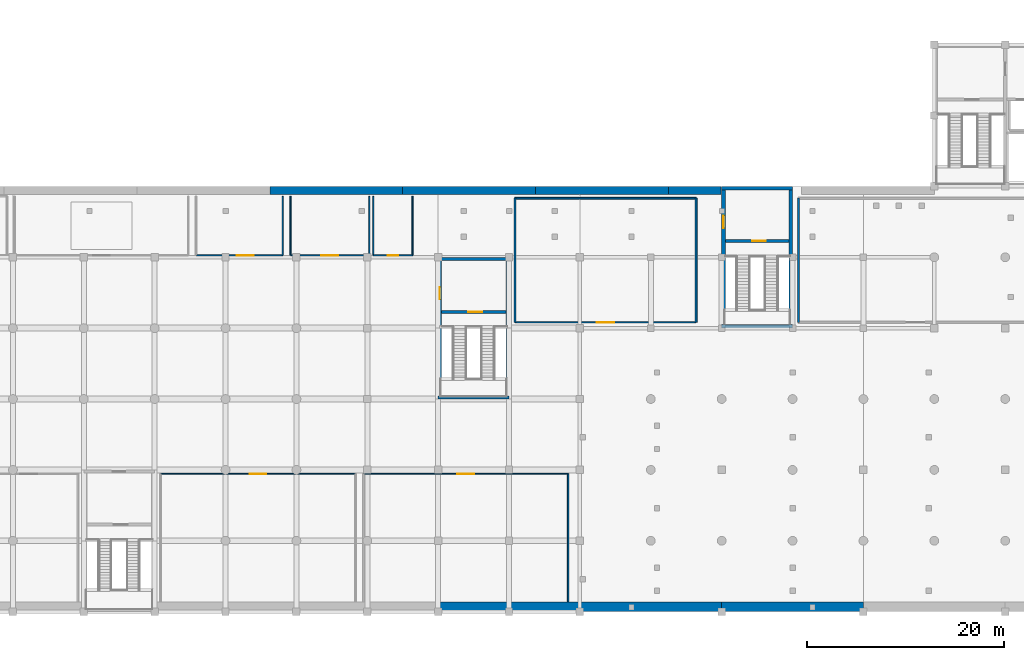
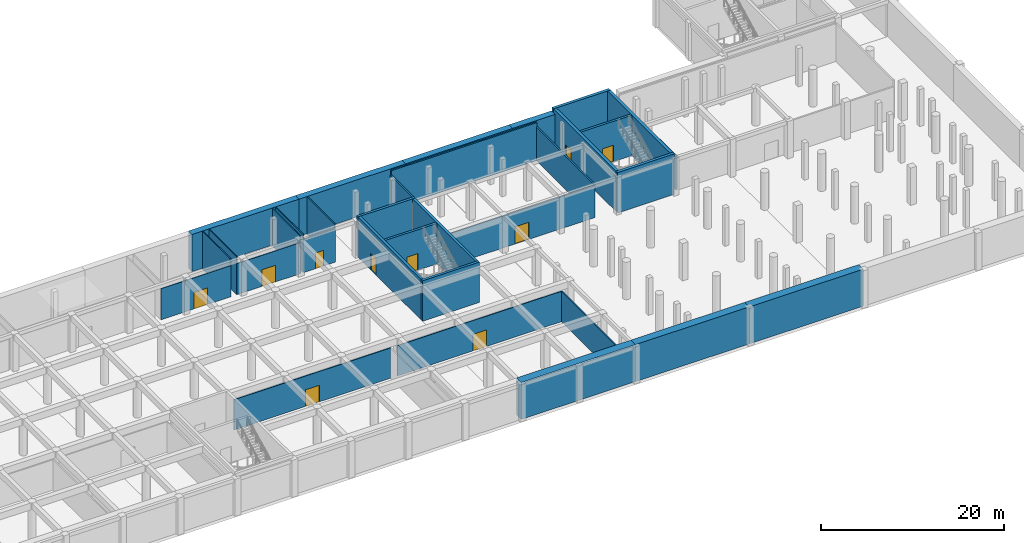
# One storey, part 6 of 15: 33 walls, 10 doors, 10 openings.
"""IFC4 building model written with IfcOpenShell, lengths in metres."""

from ifc_helpers import new_model, si_unit, direction, frame, frame_2d, origin, place, context, subcontext, project, spatial, rectangle, extrude, material, layer, layer_set, type_object, element, fill, save


model = new_model("IFC4")

# Units and contexts
model_context = context("Model", 3, precision=1e-05, world=origin(), true_north=direction((0.0, 1.0)))
body_context = subcontext(model_context, "Body", "Model", "MODEL_VIEW")
ifc_project = project(units=[si_unit("LENGTHUNIT", "METRE"), si_unit("AREAUNIT", "SQUARE_METRE"), si_unit("VOLUMEUNIT", "CUBIC_METRE"), si_unit("PLANEANGLEUNIT", "RADIAN"), si_unit("MASSUNIT", "GRAM", prefix="KILO")], contexts=[model_context])

# Site, building, storey
site_placement = place(None, origin())
site = spatial("IfcSite", under=ifc_project, at=site_placement, CompositionType="ELEMENT")
building_placement = place(site_placement, origin())
building = spatial("IfcBuilding", under=site, at=building_placement, Name="Leyfeld Transit Interchange", CompositionType="ELEMENT")
storey_placement = place(building_placement, frame((0.0, 0.0, -5.39990234375)))
storey = spatial("IfcBuildingStorey", under=building, at=storey_placement, Name="B01", CompositionType="ELEMENT", Elevation=-5.39990234375)

# Walls
ifc_material_1 = material(Name="Concrete C35/45", Category="concrete")
ifc_layer_1 = layer(ifc_material_1, 1.0, Name="Concrete C35/45")
ifc_layer_set_1 = layer_set([ifc_layer_1], Name="Concrete C35/45")
wall_type_1 = type_object("IfcWallType", Name="WL-DW-1000", PredefinedType="USERDEFINED", material=ifc_layer_set_1)
wall_1_placement = place(storey_placement, frame((129.60009765625, 14.89990234375, 0.0), z_axis=(0.0, 0.0, 1.0), x_axis=(-1.0, 0.0, 0.0)))
element("IfcWall", 1, at=wall_1_placement, inside=storey, type_object=wall_type_1, Name="Metro Diaphragm Wall DW-B01-S01-P03", ObjectType="RETAININGWALL", PredefinedType="USERDEFINED", context=body_context, shape_type="SweptSolid", body=[
    extrude(rectangle(XDim=14.400146484375, YDim=1.0, at=frame_2d((7.2001953125, 0.0))), origin(), (0.0, 0.0, 1.0), 4.949951171875),
])
wall_2_placement = place(storey_placement, frame((115.199951171875, 14.89990234375, 0.0), z_axis=(0.0, 0.0, 1.0), x_axis=(-1.0, 0.0, 0.0)))
element("IfcWall", 2, at=wall_2_placement, inside=storey, type_object=wall_type_1, Name="Metro Diaphragm Wall DW-B01-S01-P04", ObjectType="RETAININGWALL", PredefinedType="USERDEFINED", context=body_context, shape_type="SweptSolid", body=[
    extrude(rectangle(XDim=14.39990234375, YDim=1.0, at=frame_2d((7.199951171875, 0.0))), origin(), (0.0, 0.0, 1.0), 4.949951171875),
])
wall_3_placement = place(storey_placement, frame((100.800048828125, 14.89990234375, 0.0), z_axis=(0.0, 0.0, 1.0), x_axis=(-1.0, 0.0, 0.0)))
element("IfcWall", 3, at=wall_3_placement, inside=storey, type_object=wall_type_1, Name="Metro Diaphragm Wall DW-B01-S01-P05", ObjectType="RETAININGWALL", PredefinedType="USERDEFINED", context=body_context, shape_type="SweptSolid", body=[
    extrude(rectangle(XDim=14.400146484375, YDim=1.0, at=frame_2d((7.2001953125, 0.0))), origin(), (0.0, 0.0, 1.0), 4.949951171875),
])
ifc_layer_2 = layer(ifc_material_1, 0.800048828125, Name="Concrete C35/45")
ifc_layer_set_2 = layer_set([ifc_layer_2], Name="Concrete C35/45")
wall_type_2 = type_object("IfcWallType", Name="WL-DW-800", PredefinedType="USERDEFINED", material=ifc_layer_set_2)
for number, where, z_axis, x_axis, name in (
    (4, (69.300048828125, 57.199951171875, 0.0), (0.0, 0.0, 1.0), (1.0, 0.0, 0.0), "Metro Diaphragm Wall DW-B01-S06-P04"),
    (5, (82.800048828125, 57.199951171875, 0.0), (0.0, 0.0, 1.0), (1.0, 0.0, 0.0), "Metro Diaphragm Wall DW-B01-S06-P05"),
    (6, (96.300048828125, 57.199951171875, 0.0), (0.0, 0.0, 1.0), (1.0, 0.0, 0.0), "Metro Diaphragm Wall DW-B01-S06-P06"),
):
    element("IfcWall", number, at=place(storey_placement, frame(where, z_axis=z_axis, x_axis=x_axis)), inside=storey, type_object=wall_type_2, Name=name, ObjectType="RETAININGWALL", PredefinedType="USERDEFINED", context=body_context, shape_type="SweptSolid", body=[
        extrude(rectangle(XDim=13.5, YDim=0.800048828125, at=frame_2d((6.75, 0.0))), origin(), (0.0, 0.0, 1.0), 4.949951171875),
    ])
wall_4_placement = place(storey_placement, frame((109.800048828125, 57.199951171875, 0.0), z_axis=(0.0, 0.0, 1.0), x_axis=(1.0, 0.0, 0.0)))
element("IfcWall", 7, at=wall_4_placement, inside=storey, type_object=wall_type_2, Name="Metro Diaphragm Wall DW-B01-S06-P07", ObjectType="RETAININGWALL", PredefinedType="USERDEFINED", context=body_context, shape_type="SweptSolid", body=[
    extrude(rectangle(XDim=5.349853515625, YDim=0.800048828125, at=frame_2d((2.6748046875, 0.0))), origin(), (0.0, 0.0, 1.0), 4.949951171875),
])

# Wall, opening, door
ifc_material_2 = material(Name="Laminated safety acoustic glazing", Category="glass")
ifc_layer_3 = layer(ifc_material_2, 0.10498046875, Name="Laminated safety acoustic glazing")
ifc_layer_set_3 = layer_set([ifc_layer_3], Name="Laminated safety acoustic glazing")
wall_type_3 = type_object("IfcWallType", Name="WL-INT-GLZ-105", PredefinedType="PARTITIONING", material=ifc_layer_set_3)
wall_5_placement = place(storey_placement, frame((58.199951171875, 28.39990234375, 0.0), z_axis=(0.0, 0.0, 1.0), x_axis=(1.0, 0.0, 0.0)))
wall_5 = element("IfcWall", 8, at=wall_5_placement, inside=storey, type_object=wall_type_3, Name="Interior Partition B01-RET-02 N", PredefinedType="PARTITIONING", context=body_context, shape_type="SweptSolid", body=[
    extrude(rectangle(XDim=19.800048828125, YDim=0.10498046875, at=frame_2d((9.89990234375, 0.0))), origin(), (0.0, 0.0, 1.0), 4.0498046875),
])
opening_1_placement = place(wall_5_placement, frame((9.0400390625, 0.0, 0.0)))
opening_1 = element("IfcOpeningElement", 9, at=opening_1_placement, cuts=wall_5, Name="Opening DU-18", PredefinedType="OPENING", context=body_context, shape_type="SweptSolid", body=[
    extrude(rectangle(XDim=1.719970703125, YDim=2.219970703125, at=frame_2d((0.85986328125, 1.10986328125))), frame((0.0, 0.0625, 0.0), z_axis=(0.0, -1.0, 0.0), x_axis=(1.0, 0.0, 0.0)), (0.0, 0.0, 1.0), 0.125),
])
ifc_material_3 = material(Name="Austrian larch glulam GL28h", Category="wood")
door_type_1 = type_object("IfcDoorType", Name="DR-UNQ-18", OperationType="NOTDEFINED", PredefinedType="DOOR", material=ifc_material_3)
door_1_placement = place(opening_1_placement, origin())
door_1 = element("IfcDoor", 10, at=door_1_placement, inside=storey, type_object=door_type_1, Name="DR-B01-RET-02", OperationType="DOUBLE_DOOR_SINGLE_SWING", OverallHeight=2.219970703125, OverallWidth=1.719970703125, PredefinedType="DOOR", context=body_context, shape_type="SweptSolid", body=[
    extrude(rectangle(XDim=1.719970703125, YDim=2.219970703125, at=frame_2d((0.85986328125, 1.10986328125))), frame((0.0, 0.02490234375, 0.0), z_axis=(0.0, -1.0, 0.0), x_axis=(1.0, 0.0, 0.0)), (0.0, 0.0, 1.0), 0.050048828125),
])
fill(opening_1, door_1)

wall_6_placement = place(storey_placement, frame((78.800048828125, 28.39990234375, 0.0), z_axis=(0.0, 0.0, 1.0), x_axis=(1.0, 0.0, 0.0)))
wall_6 = element("IfcWall", 11, at=wall_6_placement, inside=storey, type_object=wall_type_3, Name="Interior Partition B01-RET-03 N", PredefinedType="PARTITIONING", context=body_context, shape_type="SweptSolid", body=[
    extrude(rectangle(XDim=20.800048828125, YDim=0.10498046875, at=frame_2d((10.39990234375, 0.0))), origin(), (0.0, 0.0, 1.0), 4.0498046875),
])
opening_2_placement = place(wall_6_placement, frame((9.5400390625, 0.0, 0.0)))
opening_2 = element("IfcOpeningElement", 12, at=opening_2_placement, cuts=wall_6, Name="Opening DU-18", PredefinedType="OPENING", context=body_context, shape_type="SweptSolid", body=[
    extrude(rectangle(XDim=1.719970703125, YDim=2.219970703125, at=frame_2d((0.85986328125, 1.10986328125))), frame((0.0, 0.0625, 0.0), z_axis=(0.0, -1.0, 0.0), x_axis=(1.0, 0.0, 0.0)), (0.0, 0.0, 1.0), 0.125),
])
door_2_placement = place(opening_2_placement, origin())
door_2 = element("IfcDoor", 13, at=door_2_placement, inside=storey, type_object=door_type_1, Name="DR-B01-RET-03", OperationType="DOUBLE_DOOR_SINGLE_SWING", OverallHeight=2.219970703125, OverallWidth=1.719970703125, PredefinedType="DOOR", context=body_context, shape_type="SweptSolid", body=[
    extrude(rectangle(XDim=1.719970703125, YDim=2.219970703125, at=frame_2d((0.85986328125, 1.10986328125))), frame((0.0, 0.02490234375, 0.0), z_axis=(0.0, -1.0, 0.0), x_axis=(1.0, 0.0, 0.0)), (0.0, 0.0, 1.0), 0.050048828125),
])
fill(opening_2, door_2)

# Wall
ifc_material_4 = material(Name="Calcium silicate masonry", Category="masonry")
ifc_layer_4 = layer(ifc_material_4, 0.18994140625, Name="Calcium silicate masonry")
ifc_layer_set_4 = layer_set([ifc_layer_4], Name="Calcium silicate masonry")
wall_type_4 = type_object("IfcWallType", Name="WL-INT-PLT-190", PredefinedType="PARTITIONING", material=ifc_layer_set_4)
wall_7_placement = place(storey_placement, frame((94.199951171875, 56.39990234375, 0.0), z_axis=(0.0, 0.0, 1.0), x_axis=(1.0, 0.0, 0.0)))
element("IfcWall", 14, at=wall_7_placement, inside=storey, type_object=wall_type_4, Name="Interior Partition B01-AHU-01 N", PredefinedType="PARTITIONING", context=body_context, shape_type="SweptSolid", body=[
    extrude(rectangle(XDim=18.400146484375, YDim=0.18994140625, at=frame_2d((9.2001953125, 0.0))), origin(), (0.0, 0.0, 1.0), 5.0498046875),
])

# Wall, opening, door
wall_8_placement = place(storey_placement, frame((112.60009765625, 43.800048828125, 0.0), z_axis=(0.0, 0.0, 1.0), x_axis=(-1.0, 0.0, 0.0)))
wall_8 = element("IfcWall", 15, at=wall_8_placement, inside=storey, type_object=wall_type_4, Name="Interior Partition B01-AHU-01 S", PredefinedType="PARTITIONING", context=body_context, shape_type="SweptSolid", body=[
    extrude(rectangle(XDim=18.400146484375, YDim=0.18994140625, at=frame_2d((9.2001953125, 0.0))), origin(), (0.0, 0.0, 1.0), 4.239990234375),
])
opening_3_placement = place(wall_8_placement, frame((8.31005859375, 0.0, 0.0)))
opening_3 = element("IfcOpeningElement", 16, at=opening_3_placement, cuts=wall_8, Name="Opening DU-19", PredefinedType="OPENING", context=body_context, shape_type="SweptSolid", body=[
    extrude(rectangle(XDim=1.780029296875, YDim=2.280029296875, at=frame_2d((0.89013671875, 1.14013671875))), frame((0.0, 0.10498046875, 0.0), z_axis=(0.0, -1.0, 0.0), x_axis=(1.0, 0.0, 0.0)), (0.0, 0.0, 1.0), 0.2099609375),
])
door_type_2 = type_object("IfcDoorType", Name="DR-UNQ-19", OperationType="NOTDEFINED", PredefinedType="DOOR", material=ifc_material_3)
door_3_placement = place(opening_3_placement, origin())
door_3 = element("IfcDoor", 17, at=door_3_placement, inside=storey, type_object=door_type_2, Name="DR-B01-AHU-01", OperationType="DOUBLE_DOOR_SINGLE_SWING", OverallHeight=2.280029296875, OverallWidth=1.780029296875, PredefinedType="DOOR", context=body_context, shape_type="SweptSolid", body=[
    extrude(rectangle(XDim=1.780029296875, YDim=2.280029296875, at=frame_2d((0.89013671875, 1.14013671875))), frame((0.0, 0.02490234375, 0.0), z_axis=(0.0, -1.0, 0.0), x_axis=(1.0, 0.0, 0.0)), (0.0, 0.0, 1.0), 0.050048828125),
])
fill(opening_3, door_3)

# Walls
for number, where, z_axis, x_axis, name in (
    (18, (112.60009765625, 56.39990234375, 0.0), (0.0, 0.0, 1.0), (0.0, -1.0, 0.0), "Interior Partition B01-AHU-01 E"),
    (19, (94.199951171875, 43.800048828125, 0.0), (0.0, 0.0, 1.0), (0.0, 1.0, 0.0), "Interior Partition B01-AHU-01 W"),
    (20, (123.0, 43.800048828125, 0.0), (0.0, 0.0, 1.0), (0.0, 1.0, 0.0), "Interior Partition B01-ELC-01 W"),
):
    element("IfcWall", number, at=place(storey_placement, frame(where, z_axis=z_axis, x_axis=x_axis)), inside=storey, type_object=wall_type_4, Name=name, PredefinedType="PARTITIONING", context=body_context, shape_type="SweptSolid", body=[
        extrude(rectangle(XDim=12.599853515625, YDim=0.18994140625, at=frame_2d((6.2998046875, 0.0))), origin(), (0.0, 0.0, 1.0), 4.449951171875),
    ])
ifc_material_5 = material(Name="Gypsum plasterboard acoustic stud", Category="gypsum")
ifc_layer_5 = layer(ifc_material_5, 0.135009765625, Name="Gypsum plasterboard acoustic stud")
ifc_layer_set_5 = layer_set([ifc_layer_5], Name="Gypsum plasterboard acoustic stud")
wall_type_5 = type_object("IfcWallType", Name="WL-INT-RET-135", PredefinedType="PARTITIONING", material=ifc_layer_set_5)
wall_9_placement = place(storey_placement, frame((99.60009765625, 28.39990234375, 0.0), z_axis=(0.0, 0.0, 1.0), x_axis=(0.0, -1.0, 0.0)))
element("IfcWall", 21, at=wall_9_placement, inside=storey, type_object=wall_type_5, Name="Interior Partition B01-RET-03 E", PredefinedType="PARTITIONING", context=body_context, shape_type="SweptSolid", body=[
    extrude(rectangle(XDim=13.0, YDim=0.135009765625, at=frame_2d((6.5, 0.0))), origin(), (0.0, 0.0, 1.0), 4.0498046875),
])

# Wall, opening, door
ifc_material_6 = material(Name="Autoclaved aerated blockwork G4", Category="masonry")
ifc_layer_6 = layer(ifc_material_6, 0.125, Name="Autoclaved aerated blockwork G4")
ifc_layer_set_6 = layer_set([ifc_layer_6], Name="Autoclaved aerated blockwork G4")
wall_type_6 = type_object("IfcWallType", Name="WL-INT-WC-125", PredefinedType="PARTITIONING", material=ifc_layer_set_6)
wall_10_placement = place(storey_placement, frame((70.60009765625, 50.60009765625, 0.0), z_axis=(0.0, 0.0, 1.0), x_axis=(-1.0, 0.0, 0.0)))
wall_10 = element("IfcWall", 22, at=wall_10_placement, inside=storey, type_object=wall_type_6, Name="Interior Partition B01-WCM-01 S", PredefinedType="PARTITIONING", context=body_context, shape_type="SweptSolid", body=[
    extrude(rectangle(XDim=8.800048828125, YDim=0.125, at=frame_2d((4.39990234375, 0.0))), origin(), (0.0, 0.0, 1.0), 4.14990234375),
])
opening_4_placement = place(wall_10_placement, frame((2.93994140625, 0.0, 0.0)))
opening_4 = element("IfcOpeningElement", 23, at=opening_4_placement, cuts=wall_10, Name="Opening DU-18", PredefinedType="OPENING", context=body_context, shape_type="SweptSolid", body=[
    extrude(rectangle(XDim=1.719970703125, YDim=2.219970703125, at=frame_2d((0.85986328125, 1.10986328125))), frame((0.0, 0.072509765625, 0.0), z_axis=(0.0, -1.0, 0.0), x_axis=(1.0, 0.0, 0.0)), (0.0, 0.0, 1.0), 0.14501953125),
])
door_4_placement = place(opening_4_placement, origin())
door_4 = element("IfcDoor", 24, at=door_4_placement, inside=storey, type_object=door_type_1, Name="DR-B01-WCM-01", OperationType="DOUBLE_DOOR_SINGLE_SWING", OverallHeight=2.219970703125, OverallWidth=1.719970703125, PredefinedType="DOOR", context=body_context, shape_type="SweptSolid", body=[
    extrude(rectangle(XDim=1.719970703125, YDim=2.219970703125, at=frame_2d((0.85986328125, 1.10986328125))), frame((0.0, 0.02490234375, 0.0), z_axis=(0.0, -1.0, 0.0), x_axis=(1.0, 0.0, 0.0)), (0.0, 0.0, 1.0), 0.050048828125),
])
fill(opening_4, door_4)

# Wall
wall_11_placement = place(storey_placement, frame((70.60009765625, 56.60009765625, 0.0), z_axis=(0.0, 0.0, 1.0), x_axis=(0.0, -1.0, 0.0)))
element("IfcWall", 25, at=wall_11_placement, inside=storey, type_object=wall_type_6, Name="Interior Partition B01-WCM-01 E", PredefinedType="PARTITIONING", context=body_context, shape_type="SweptSolid", body=[
    extrude(rectangle(XDim=6.0, YDim=0.125, at=frame_2d((3.0, 0.0))), origin(), (0.0, 0.0, 1.0), 5.0498046875),
])

# Wall, opening, door
wall_12_placement = place(storey_placement, frame((79.39990234375, 50.60009765625, 0.0), z_axis=(0.0, 0.0, 1.0), x_axis=(-1.0, 0.0, 0.0)))
wall_12 = element("IfcWall", 26, at=wall_12_placement, inside=storey, type_object=wall_type_6, Name="Interior Partition B01-WCF-01 S", PredefinedType="PARTITIONING", context=body_context, shape_type="SweptSolid", body=[
    extrude(rectangle(XDim=8.0, YDim=0.125, at=frame_2d((4.0, 0.0))), origin(), (0.0, 0.0, 1.0), 4.14990234375),
])
opening_5_placement = place(wall_12_placement, frame((3.139892578125, 0.0, 0.0)))
opening_5 = element("IfcOpeningElement", 27, at=opening_5_placement, cuts=wall_12, Name="Opening DU-18", PredefinedType="OPENING", context=body_context, shape_type="SweptSolid", body=[
    extrude(rectangle(XDim=1.719970703125, YDim=2.219970703125, at=frame_2d((0.85986328125, 1.10986328125))), frame((0.0, 0.072509765625, 0.0), z_axis=(0.0, -1.0, 0.0), x_axis=(1.0, 0.0, 0.0)), (0.0, 0.0, 1.0), 0.14501953125),
])
door_5_placement = place(opening_5_placement, origin())
door_5 = element("IfcDoor", 28, at=door_5_placement, inside=storey, type_object=door_type_1, Name="DR-B01-WCF-01", OperationType="DOUBLE_DOOR_SINGLE_SWING", OverallHeight=2.219970703125, OverallWidth=1.719970703125, PredefinedType="DOOR", context=body_context, shape_type="SweptSolid", body=[
    extrude(rectangle(XDim=1.719970703125, YDim=2.219970703125, at=frame_2d((0.85986328125, 1.10986328125))), frame((0.0, 0.02490234375, 0.0), z_axis=(0.0, -1.0, 0.0), x_axis=(1.0, 0.0, 0.0)), (0.0, 0.0, 1.0), 0.050048828125),
])
fill(opening_5, door_5)

# Walls
for number, where, z_axis, x_axis, name in (
    (29, (79.39990234375, 56.60009765625, 0.0), (0.0, 0.0, 1.0), (0.0, -1.0, 0.0), "Interior Partition B01-WCF-01 E"),
    (30, (71.39990234375, 50.60009765625, 0.0), (0.0, 0.0, 1.0), (0.0, 1.0, 0.0), "Interior Partition B01-WCF-01 W"),
):
    element("IfcWall", number, at=place(storey_placement, frame(where, z_axis=z_axis, x_axis=x_axis)), inside=storey, type_object=wall_type_6, Name=name, PredefinedType="PARTITIONING", context=body_context, shape_type="SweptSolid", body=[
        extrude(rectangle(XDim=6.0, YDim=0.125, at=frame_2d((3.0, 0.0))), origin(), (0.0, 0.0, 1.0), 5.0498046875),
    ])

# Wall, opening, door
wall_13_placement = place(storey_placement, frame((83.800048828125, 50.60009765625, 0.0), z_axis=(0.0, 0.0, 1.0), x_axis=(-1.0, 0.0, 0.0)))
wall_13 = element("IfcWall", 31, at=wall_13_placement, inside=storey, type_object=wall_type_6, Name="Interior Partition B01-WCA-01 S", PredefinedType="PARTITIONING", context=body_context, shape_type="SweptSolid", body=[
    extrude(rectangle(XDim=4.0, YDim=0.125, at=frame_2d((2.0, 0.0))), origin(), (0.0, 0.0, 1.0), 4.449951171875),
])
opening_6_placement = place(wall_13_placement, frame((1.47509765625, 0.0, 0.0)))
opening_6 = element("IfcOpeningElement", 32, at=opening_6_placement, cuts=wall_13, Name="Opening DI-09", PredefinedType="OPENING", context=body_context, shape_type="SweptSolid", body=[
    extrude(rectangle(XDim=1.050048828125, YDim=2.10009765625, at=frame_2d((0.52490234375, 1.050048828125))), frame((0.0, 0.072509765625, 0.0), z_axis=(0.0, -1.0, 0.0), x_axis=(1.0, 0.0, 0.0)), (0.0, 0.0, 1.0), 0.14501953125),
])
door_type_3 = type_object("IfcDoorType", Name="DR-WCA-1050x2100", OperationType="NOTDEFINED", PredefinedType="DOOR", material=ifc_material_3)
door_6_placement = place(opening_6_placement, origin())
door_6 = element("IfcDoor", 33, at=door_6_placement, inside=storey, type_object=door_type_3, Name="DR-B01-WCA-01", OperationType="SINGLE_SWING_RIGHT", OverallHeight=2.10009765625, OverallWidth=1.050048828125, PredefinedType="DOOR", context=body_context, shape_type="SweptSolid", body=[
    extrude(rectangle(XDim=1.050048828125, YDim=2.10009765625, at=frame_2d((0.52490234375, 1.050048828125))), frame((0.0, 0.02490234375, 0.0), z_axis=(0.0, -1.0, 0.0), x_axis=(1.0, 0.0, 0.0)), (0.0, 0.0, 1.0), 0.050048828125),
])
fill(opening_6, door_6)

# Walls
for number, where, z_axis, x_axis, name in (
    (34, (83.800048828125, 56.60009765625, 0.0), (0.0, 0.0, 1.0), (0.0, -1.0, 0.0), "Interior Partition B01-WCA-01 E"),
    (35, (79.800048828125, 50.60009765625, 0.0), (0.0, 0.0, 1.0), (0.0, 1.0, 0.0), "Interior Partition B01-WCA-01 W"),
):
    element("IfcWall", number, at=place(storey_placement, frame(where, z_axis=z_axis, x_axis=x_axis)), inside=storey, type_object=wall_type_6, Name=name, PredefinedType="PARTITIONING", context=body_context, shape_type="SweptSolid", body=[
        extrude(rectangle(XDim=6.0, YDim=0.125, at=frame_2d((3.0, 0.0))), origin(), (0.0, 0.0, 1.0), 5.0498046875),
    ])

# Wall, opening, door
ifc_layer_7 = layer(ifc_material_1, 0.300048828125, Name="Concrete C35/45")
ifc_layer_set_7 = layer_set([ifc_layer_7], Name="Concrete C35/45")
wall_type_7 = type_object("IfcWallType", Name="WL-SH-300", PredefinedType="SHEAR", material=ifc_layer_set_7)
wall_14_placement = place(storey_placement, frame((86.719970703125, 44.85009765625, 0.0), z_axis=(0.0, 0.0, 1.0), x_axis=(1.0, 0.0, 0.0)))
wall_14 = element("IfcWall", 36, at=wall_14_placement, inside=storey, type_object=wall_type_7, Name="Core K7 Shear Wall STRN B01", PredefinedType="SHEAR", context=body_context, shape_type="SweptSolid", body=[
    extrude(rectangle(XDim=6.56005859375, YDim=0.300048828125, at=frame_2d((3.280029296875, 0.0))), origin(), (0.0, 0.0, 1.0), 5.39990234375),
])
opening_7_placement = place(wall_14_placement, frame((2.739990234375, 0.0, 0.0)))
opening_7 = element("IfcOpeningElement", 37, at=opening_7_placement, cuts=wall_14, Name="Opening DI-01", PredefinedType="OPENING", context=body_context, shape_type="SweptSolid", body=[
    extrude(rectangle(XDim=1.39990234375, YDim=2.199951171875, at=frame_2d((0.699951171875, 1.10009765625))), frame((0.0, 0.159912109375, 0.0), z_axis=(0.0, -1.0, 0.0), x_axis=(1.0, 0.0, 0.0)), (0.0, 0.0, 1.0), 0.320068359375),
])
ifc_material_7 = material(Name="Galvanised steel S275JR", Category="steel")
door_type_4 = type_object("IfcDoorType", Name="DR-STR-1400x2200", OperationType="NOTDEFINED", PredefinedType="DOOR", material=ifc_material_7)
door_7_placement = place(opening_7_placement, origin())
door_7 = element("IfcDoor", 38, at=door_7_placement, inside=storey, type_object=door_type_4, Name="DR-STR-INT-K7-B01", OperationType="SINGLE_SWING_RIGHT", OverallHeight=2.199951171875, OverallWidth=1.39990234375, PredefinedType="DOOR", context=body_context, shape_type="SweptSolid", body=[
    extrude(rectangle(XDim=1.39990234375, YDim=2.199951171875, at=frame_2d((0.699951171875, 1.10009765625))), frame((0.0, 0.02490234375, 0.0), z_axis=(0.0, -1.0, 0.0), x_axis=(1.0, 0.0, 0.0)), (0.0, 0.0, 1.0), 0.050048828125),
])
fill(opening_7, door_7)

wall_15_placement = place(storey_placement, frame((115.570068359375, 52.050048828125, 0.0), z_axis=(0.0, 0.0, 1.0), x_axis=(1.0, 0.0, 0.0)))
wall_15 = element("IfcWall", 39, at=wall_15_placement, inside=storey, type_object=wall_type_7, Name="Core K9 Shear Wall STRN B01", PredefinedType="SHEAR", context=body_context, shape_type="SweptSolid", body=[
    extrude(rectangle(XDim=6.4599609375, YDim=0.300048828125, at=frame_2d((3.22998046875, 0.0))), origin(), (0.0, 0.0, 1.0), 5.39990234375),
])
opening_8_placement = place(wall_15_placement, frame((2.715087890625, 0.0, 0.0)))
opening_8 = element("IfcOpeningElement", 40, at=opening_8_placement, cuts=wall_15, Name="Opening DI-01", PredefinedType="OPENING", context=body_context, shape_type="SweptSolid", body=[
    extrude(rectangle(XDim=1.39990234375, YDim=2.199951171875, at=frame_2d((0.699951171875, 1.10009765625))), frame((0.0, 0.159912109375, 0.0), z_axis=(0.0, -1.0, 0.0), x_axis=(1.0, 0.0, 0.0)), (0.0, 0.0, 1.0), 0.320068359375),
])
door_8_placement = place(opening_8_placement, origin())
door_8 = element("IfcDoor", 41, at=door_8_placement, inside=storey, type_object=door_type_4, Name="DR-STR-INT-K9-B01", OperationType="SINGLE_SWING_RIGHT", OverallHeight=2.199951171875, OverallWidth=1.39990234375, PredefinedType="DOOR", context=body_context, shape_type="SweptSolid", body=[
    extrude(rectangle(XDim=1.39990234375, YDim=2.199951171875, at=frame_2d((0.699951171875, 1.10009765625))), frame((0.0, 0.02490234375, 0.0), z_axis=(0.0, -1.0, 0.0), x_axis=(1.0, 0.0, 0.0)), (0.0, 0.0, 1.0), 0.050048828125),
])
fill(opening_8, door_8)

# Walls
ifc_layer_8 = layer(ifc_material_1, 0.320068359375, Name="Concrete C35/45")
ifc_layer_set_8 = layer_set([ifc_layer_8], Name="Concrete C35/45")
wall_type_8 = type_object("IfcWallType", Name="WL-SH-VAR-320", PredefinedType="SHEAR", material=ifc_layer_set_8)
wall_16_placement = place(storey_placement, frame((86.39990234375, 50.239990234375, 0.0), z_axis=(0.0, 0.0, 1.0), x_axis=(1.0, 0.0, 0.0)))
element("IfcWall", 42, at=wall_16_placement, inside=storey, type_object=wall_type_8, Name="Core K7 Shear Wall N B01", PredefinedType="SHEAR", context=body_context, shape_type="SweptSolid", body=[
    extrude(rectangle(XDim=7.2001953125, YDim=0.320068359375, at=frame_2d((3.60009765625, 0.0))), origin(), (0.0, 0.0, 1.0), 5.39990234375),
])
wall_17_placement = place(storey_placement, frame((93.43994140625, 50.080078125, 0.0), z_axis=(0.0, 0.0, 1.0), x_axis=(0.0, -1.0, 0.0)))
element("IfcWall", 43, at=wall_17_placement, inside=storey, type_object=wall_type_8, Name="Core K7 Shear Wall E B01", PredefinedType="SHEAR", context=body_context, shape_type="SweptSolid", body=[
    extrude(rectangle(XDim=13.760009765625, YDim=0.320068359375, at=frame_2d((6.8798828125, 0.0))), origin(), (0.0, 0.0, 1.0), 5.39990234375),
])
wall_18_placement = place(storey_placement, frame((93.60009765625, 36.159912109375, 0.0), z_axis=(0.0, 0.0, 1.0), x_axis=(-1.0, 0.0, 0.0)))
element("IfcWall", 44, at=wall_18_placement, inside=storey, type_object=wall_type_8, Name="Core K7 Shear Wall S B01", PredefinedType="SHEAR", context=body_context, shape_type="SweptSolid", body=[
    extrude(rectangle(XDim=7.2001953125, YDim=0.320068359375, at=frame_2d((3.60009765625, 0.0))), origin(), (0.0, 0.0, 1.0), 5.39990234375),
])

# Wall, opening, door
wall_19_placement = place(storey_placement, frame((86.56005859375, 36.320068359375, 0.0), z_axis=(0.0, 0.0, 1.0), x_axis=(0.0, 1.0, 0.0)))
wall_19 = element("IfcWall", 45, at=wall_19_placement, inside=storey, type_object=wall_type_8, Name="Core K7 Shear Wall W B01", PredefinedType="SHEAR", context=body_context, shape_type="SweptSolid", body=[
    extrude(rectangle(XDim=13.760009765625, YDim=0.320068359375, at=frame_2d((6.8798828125, 0.0))), origin(), (0.0, 0.0, 1.0), 5.39990234375),
])
opening_9_placement = place(wall_19_placement, frame((9.800048828125, 0.0, 0.0)))
opening_9 = element("IfcOpeningElement", 46, at=opening_9_placement, cuts=wall_19, Name="Opening DI-02", PredefinedType="OPENING", context=body_context, shape_type="SweptSolid", body=[
    extrude(rectangle(XDim=1.25, YDim=2.199951171875, at=frame_2d((0.625, 1.10009765625))), frame((0.0, 0.169921875, 0.0), z_axis=(0.0, -1.0, 0.0), x_axis=(1.0, 0.0, 0.0)), (0.0, 0.0, 1.0), 0.340087890625),
])
door_type_5 = type_object("IfcDoorType", Name="DR-FFL-1250x2200", OperationType="NOTDEFINED", PredefinedType="DOOR", material=ifc_material_7)
door_9_placement = place(opening_9_placement, origin())
door_9 = element("IfcDoor", 47, at=door_9_placement, inside=storey, type_object=door_type_5, Name="DR-CORE-OUT-K7-B01", OperationType="SINGLE_SWING_LEFT", OverallHeight=2.199951171875, OverallWidth=1.25, PredefinedType="DOOR", context=body_context, shape_type="SweptSolid", body=[
    extrude(rectangle(XDim=1.25, YDim=2.199951171875, at=frame_2d((0.625, 1.10009765625))), frame((0.0, 0.02490234375, 0.0), z_axis=(0.0, -1.0, 0.0), x_axis=(1.0, 0.0, 0.0)), (0.0, 0.0, 1.0), 0.050048828125),
])
fill(opening_9, door_9)

# Walls
ifc_layer_9 = layer(ifc_material_1, 0.3701171875, Name="Concrete C35/45")
ifc_layer_set_9 = layer_set([ifc_layer_9], Name="Concrete C35/45")
wall_type_9 = type_object("IfcWallType", Name="WL-SH-VAR-370", PredefinedType="SHEAR", material=ifc_layer_set_9)
wall_20_placement = place(storey_placement, frame((115.199951171875, 57.4150390625, 0.0), z_axis=(0.0, 0.0, 1.0), x_axis=(1.0, 0.0, 0.0)))
element("IfcWall", 48, at=wall_20_placement, inside=storey, type_object=wall_type_9, Name="Core K9 Shear Wall N B01", PredefinedType="SHEAR", context=body_context, shape_type="SweptSolid", body=[
    extrude(rectangle(XDim=7.199951171875, YDim=0.3701171875, at=frame_2d((3.60009765625, 0.0))), origin(), (0.0, 0.0, 1.0), 5.39990234375),
])
wall_21_placement = place(storey_placement, frame((122.215087890625, 57.22998046875, 0.0), z_axis=(0.0, 0.0, 1.0), x_axis=(0.0, -1.0, 0.0)))
element("IfcWall", 49, at=wall_21_placement, inside=storey, type_object=wall_type_9, Name="Core K9 Shear Wall E B01", PredefinedType="SHEAR", context=body_context, shape_type="SweptSolid", body=[
    extrude(rectangle(XDim=13.659912109375, YDim=0.3701171875, at=frame_2d((6.830078125, 0.0))), origin(), (0.0, 0.0, 1.0), 5.39990234375),
])
wall_22_placement = place(storey_placement, frame((122.39990234375, 43.385009765625, 0.0), z_axis=(0.0, 0.0, 1.0), x_axis=(-1.0, 0.0, 0.0)))
element("IfcWall", 50, at=wall_22_placement, inside=storey, type_object=wall_type_9, Name="Core K9 Shear Wall S B01", PredefinedType="SHEAR", context=body_context, shape_type="SweptSolid", body=[
    extrude(rectangle(XDim=7.199951171875, YDim=0.3701171875, at=frame_2d((3.60009765625, 0.0))), origin(), (0.0, 0.0, 1.0), 5.39990234375),
])

# Wall, opening, door
wall_23_placement = place(storey_placement, frame((115.385009765625, 43.570068359375, 0.0), z_axis=(0.0, 0.0, 1.0), x_axis=(0.0, 1.0, 0.0)))
wall_23 = element("IfcWall", 51, at=wall_23_placement, inside=storey, type_object=wall_type_9, Name="Core K9 Shear Wall W B01", PredefinedType="SHEAR", context=body_context, shape_type="SweptSolid", body=[
    extrude(rectangle(XDim=13.659912109375, YDim=0.3701171875, at=frame_2d((6.830078125, 0.0))), origin(), (0.0, 0.0, 1.0), 5.39990234375),
])
opening_10_placement = place(wall_23_placement, frame((9.800048828125, 0.0, 0.0)))
opening_10 = element("IfcOpeningElement", 52, at=opening_10_placement, cuts=wall_23, Name="Opening DI-02", PredefinedType="OPENING", context=body_context, shape_type="SweptSolid", body=[
    extrude(rectangle(XDim=1.25, YDim=2.199951171875, at=frame_2d((0.625, 1.10009765625))), frame((0.0, 0.195068359375, 0.0), z_axis=(0.0, -1.0, 0.0), x_axis=(1.0, 0.0, 0.0)), (0.0, 0.0, 1.0), 0.39013671875),
])
door_10_placement = place(opening_10_placement, origin())
door_10 = element("IfcDoor", 53, at=door_10_placement, inside=storey, type_object=door_type_5, Name="DR-CORE-OUT-K9-B01", OperationType="SINGLE_SWING_LEFT", OverallHeight=2.199951171875, OverallWidth=1.25, PredefinedType="DOOR", context=body_context, shape_type="SweptSolid", body=[
    extrude(rectangle(XDim=1.25, YDim=2.199951171875, at=frame_2d((0.625, 1.10009765625))), frame((0.0, 0.02490234375, 0.0), z_axis=(0.0, -1.0, 0.0), x_axis=(1.0, 0.0, 0.0)), (0.0, 0.0, 1.0), 0.050048828125),
])
fill(opening_10, door_10)

save(model, "model.ifc")
